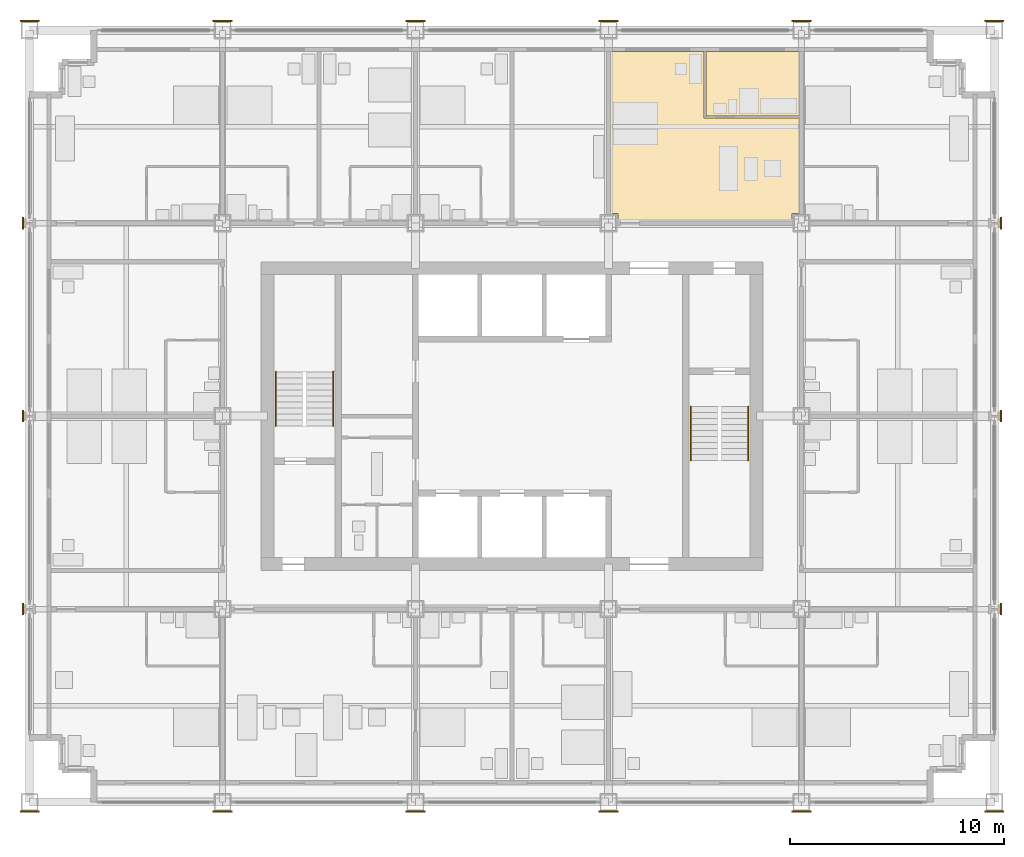
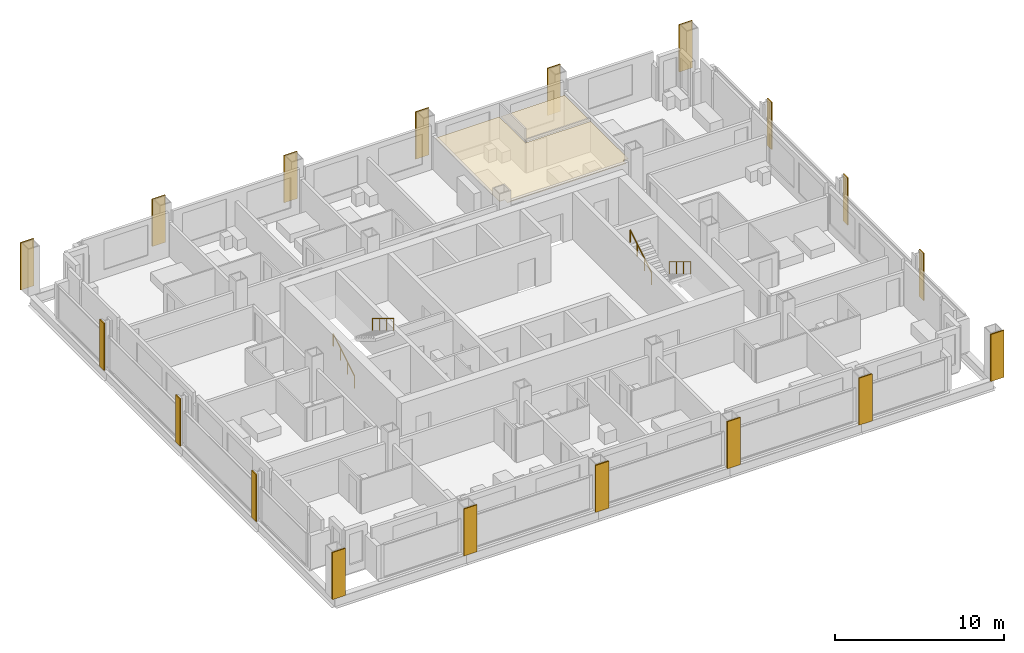
# One storey, part 14 of 16: 20 coverings, 4 railings.
"""IFC4 building model written with IfcOpenShell, lengths in metres."""

import ifcopenshell
import ifcopenshell.guid

model = None  # the IFC model being written
_history = None  # IfcOwnerHistory: only IFC2X3 demands one
_inside = {}  # id of a spatial element -> (the spatial element, [elements in it])
_under = {}  # id of a project, library or spatial element -> (it, [spatial elements below it])
_declared = {}  # id of a project -> (the project, [libraries it declares])
_typed = {}  # id of a type object -> (the type object, [elements of that type])
_made_of = {}  # id of a material, layer set ... -> (it, [elements and type objects made of it])


def new_model(schema):
    """Start an empty IFC model of exactly this schema.

    Asked for "IFC4X3", IfcOpenShell would pick the latest addendum, in which some entities
    have other attributes; the version numbers below select the first issue.
    IFC2X3 requires an IfcOwnerHistory on every rooted entity: one is made here for all.
    """
    global model, _history
    if schema == "IFC4X3":
        model = ifcopenshell.file(schema_version=(4, 3, 0, 0))
    else:
        model = ifcopenshell.file(schema=schema)
    _inside.clear()
    _under.clear()
    _declared.clear()
    _typed.clear()
    _made_of.clear()
    _history = None
    if model.schema == "IFC2X3":
        org = make("IfcOrganization", Name="unknown")
        user = make(
            "IfcPersonAndOrganization",
            ThePerson=make("IfcPerson", FamilyName="unknown"),
            TheOrganization=org,
        )
        app = make(
            "IfcApplication",
            ApplicationDeveloper=org,
            Version="unknown",
            ApplicationFullName="unknown",
            ApplicationIdentifier="unknown",
        )
        _history = make(
            "IfcOwnerHistory",
            OwningUser=user,
            OwningApplication=app,
            ChangeAction="ADDED",
            CreationDate=0,
        )
    return model


def make(cls, **values):
    """One entity of the class cls with the attributes given. An attribute that is None is left unset."""
    return model.create_entity(
        cls, **{name: value for name, value in values.items() if value is not None}
    )


def rooted(cls, **values):
    """An entity with a GlobalId (a new one), such as an element, a storey or a relation."""
    return make(cls, GlobalId=ifcopenshell.guid.new(), OwnerHistory=_history, **values)


def si_unit(unit_type, name, prefix=None):
    """IfcSIUnit, for example si_unit("LENGTHUNIT", "METRE", prefix="MILLI")."""
    return make("IfcSIUnit", UnitType=unit_type, Prefix=prefix, Name=name)


def assignment(units):
    """IfcUnitAssignment: the units of a project."""
    return None if units is None else make("IfcUnitAssignment", Units=units)


def point(xyz):
    """IfcCartesianPoint."""
    return None if xyz is None else make("IfcCartesianPoint", Coordinates=xyz)


def direction(xyz):
    """IfcDirection."""
    return None if xyz is None else make("IfcDirection", DirectionRatios=xyz)


def frame(location, z_axis=None, x_axis=None):
    """IfcAxis2Placement3D, a coordinate frame: its origin and axes. An axis left out is left unset."""
    return make(
        "IfcAxis2Placement3D",
        Location=point(location),
        Axis=direction(z_axis),
        RefDirection=direction(x_axis),
    )


def frame_2d(location, x_axis=None):
    """IfcAxis2Placement2D, a coordinate frame in the plane: its origin and x axis."""
    return make(
        "IfcAxis2Placement2D", Location=point(location), RefDirection=direction(x_axis)
    )


def origin():
    """The frame at (0, 0, 0) with its axes left unset."""
    return frame((0.0, 0.0, 0.0))


def origin_2d():
    """The frame at (0, 0) in the plane with its x axis left unset."""
    return frame_2d((0.0, 0.0))


def place(relative_to, where):
    """IfcLocalPlacement: puts the frame where relative to a parent placement (None: the world)."""
    return make(
        "IfcLocalPlacement", PlacementRelTo=relative_to, RelativePlacement=where
    )


def context(
    kind, dimensions, precision=None, world=None, true_north=None, identifier=None
):
    """IfcGeometricRepresentationContext, for example the 3D "Model" context."""
    return make(
        "IfcGeometricRepresentationContext",
        ContextIdentifier=identifier,
        ContextType=kind,
        CoordinateSpaceDimension=dimensions,
        Precision=precision,
        WorldCoordinateSystem=world,
        TrueNorth=true_north,
    )


def subcontext(parent, identifier, kind, view, scale=None):
    """IfcGeometricRepresentationSubContext, for example "Body" below "Model"."""
    return make(
        "IfcGeometricRepresentationSubContext",
        ContextIdentifier=identifier,
        ContextType=kind,
        ParentContext=parent,
        TargetScale=scale,
        TargetView=view,
    )


def project(units=None, contexts=None):
    """IfcProject with its units and contexts."""
    return rooted(
        "IfcProject",
        Name="project",
        RepresentationContexts=contexts,
        UnitsInContext=assignment(units),
    )


def spatial(cls, under=None, at=None, **own):
    """A site, building, storey or space (cls), placed at a placement, below another one or the project."""
    s = rooted(cls, ObjectPlacement=at, **own)
    if under is not None:
        _under.setdefault(under.id(), (under, []))[1].append(s)
    return s


def polyline(points):
    """IfcPolyline through the points."""
    return make("IfcPolyline", Points=[point(p) for p in points])


def profile(cls, at=None, kind="AREA", **sizes):
    """A parametric profile (cls). Its sizes go by their IFC names, for example OverallWidth=200.0."""
    return make(cls, ProfileType=kind, Position=at, **sizes)


def rectangle(**sizes):
    """IfcRectangleProfileDef."""
    return profile("IfcRectangleProfileDef", **sizes)


def circle(**sizes):
    """IfcCircleProfileDef."""
    return profile("IfcCircleProfileDef", **sizes)


def outline(outer, holes=None, kind="AREA"):
    """IfcArbitraryClosedProfileDef: a profile drawn as a closed curve; with holes, ...WithVoids."""
    if holes is None:
        return make("IfcArbitraryClosedProfileDef", ProfileType=kind, OuterCurve=outer)
    return make(
        "IfcArbitraryProfileDefWithVoids",
        ProfileType=kind,
        OuterCurve=outer,
        InnerCurves=holes,
    )


def extrude(swept, where, along, depth):
    """IfcExtrudedAreaSolid: the profile swept, set in the frame where, extruded along a direction by depth."""
    return make(
        "IfcExtrudedAreaSolid",
        SweptArea=swept,
        Position=where,
        ExtrudedDirection=direction(along),
        Depth=depth,
    )


def shape(context_of_items, identifier, shape_type, items):
    """IfcShapeRepresentation: the items that make up one representation, for example the "Body"."""
    return make(
        "IfcShapeRepresentation",
        ContextOfItems=context_of_items,
        RepresentationIdentifier=identifier,
        RepresentationType=shape_type,
        Items=items,
    )


def material(Name=None, Category=None):
    """IfcMaterial."""
    return make("IfcMaterial", Name=Name, Category=Category)


def layer(
    of_material, thickness, ventilated=None, Name=None, Category=None, Priority=None
):
    """IfcMaterialLayer: one layer of a wall or slab, of a material (None: an air gap)."""
    return make(
        "IfcMaterialLayer",
        Material=of_material,
        LayerThickness=thickness,
        IsVentilated=ventilated,
        Name=Name,
        Category=Category,
        Priority=Priority,
    )


def layer_set(layers, Name=None):
    """IfcMaterialLayerSet."""
    return make("IfcMaterialLayerSet", MaterialLayers=layers, LayerSetName=Name)


def made_of(thing, what):
    """Note that an element or type object is made of a material, layer set ...; save() writes the relation."""
    if what is not None:
        _made_of.setdefault(what.id(), (what, []))[1].append(thing)
    return thing


def type_object(cls, material=None, **own):
    """A type object (cls), such as IfcWallType, which elements share."""
    return made_of(rooted(cls, **own), material)


def element(
    cls,
    number,
    at=None,
    inside=None,
    cuts=None,
    type_object=None,
    material=None,
    context=None,
    identifier="Body",
    shape_type=None,
    held_by="IfcProductDefinitionShape",
    body=None,
    shapes=None,
    **own,
):
    """One element of the class cls, such as IfcWall. Its Tag is "e" and its number.

    at: its placement. inside: the storey or other place that contains it. cuts: it is an
    opening in that element (IfcRelVoidsElement). A single representation is given by context,
    identifier, shape_type and body (its items); several are given by shapes. held_by: the class
    of the entity that holds the representations. save() writes the other relations.
    """
    e = rooted(cls, Tag="e%d" % number, ObjectPlacement=at, **own)
    if body is not None:
        shapes = [shape(context, identifier, shape_type, body)]
    if shapes is not None:
        e.Representation = make(held_by, Representations=shapes)
    if inside is not None:
        _inside.setdefault(inside.id(), (inside, []))[1].append(e)
    if cuts is not None:
        rooted(
            "IfcRelVoidsElement", RelatingBuildingElement=cuts, RelatedOpeningElement=e
        )
    if type_object is not None:
        _typed.setdefault(type_object.id(), (type_object, []))[1].append(e)
    return made_of(e, material)


def aggregate(whole, parts):
    """IfcRelAggregates: a whole, such as a stair, and the parts it consists of."""
    return rooted("IfcRelAggregates", RelatingObject=whole, RelatedObjects=parts)


def save(model, path):
    """Write the relations noted so far, then the file.

    IfcRelAggregates (storeys below a building ...), IfcRelContainedInSpatialStructure (elements
    in a storey), IfcRelDefinesByType, IfcRelAssociatesMaterial and IfcRelDeclares: one each for
    every whole, place, type object, material and project.
    """
    for whole, parts in _under.values():
        aggregate(whole, parts)
    for where, things in _inside.values():
        rooted(
            "IfcRelContainedInSpatialStructure",
            RelatedElements=things,
            RelatingStructure=where,
        )
    for kind, things in _typed.values():
        rooted("IfcRelDefinesByType", RelatedObjects=things, RelatingType=kind)
    for what, things in _made_of.values():
        rooted("IfcRelAssociatesMaterial", RelatedObjects=things, RelatingMaterial=what)
    for by, libraries in _declared.values():
        rooted("IfcRelDeclares", RelatingContext=by, RelatedDefinitions=libraries)
    model.write(path)


model = new_model("IFC4")

# Units and contexts
model_context = context("Model", 3, precision=1e-05, world=origin(), true_north=direction((0.0, 1.0)))
body_context = subcontext(model_context, "Body", "Model", "MODEL_VIEW")
ifc_project = project(units=[si_unit("LENGTHUNIT", "METRE"), si_unit("AREAUNIT", "SQUARE_METRE"), si_unit("VOLUMEUNIT", "CUBIC_METRE"), si_unit("PLANEANGLEUNIT", "RADIAN"), si_unit("MASSUNIT", "GRAM", prefix="KILO")], contexts=[model_context])

# Site, building, storey
site_placement = place(None, origin())
site = spatial("IfcSite", under=ifc_project, at=site_placement, CompositionType="ELEMENT")
building_placement = place(site_placement, origin())
building = spatial("IfcBuilding", under=site, at=building_placement, Name="Loomwork Tower", CompositionType="ELEMENT")
storey_placement = place(building_placement, frame((0.0, 0.0, 135.0)))
storey = spatial("IfcBuildingStorey", under=building, at=storey_placement, Name="L36", CompositionType="ELEMENT", Elevation=135.0)

# Railings
ifc_material_1 = material(Name="Stainless steel handrail", Category="steel")
railing_type = type_object("IfcRailingType", Name="Handrail 900", PredefinedType="HANDRAIL", material=ifc_material_1)
railing_1_placement = place(storey_placement, frame((11.485107421875, 17.550048828125, 0.169921875)))
element("IfcRailing", 1, at=railing_1_placement, inside=storey, type_object=railing_type, Name="Stair A handrail flight 1 L36", PredefinedType="HANDRAIL", context=body_context, shape_type="SweptSolid", body=[
    extrude(circle(Radius=0.02392578125, at=origin_2d()), frame((0.0, 0.0, 0.8759765625), z_axis=(0.0, 0.85478489116, 0.518982456201), x_axis=(-1.0, 0.0, 0.0)), (0.0, 0.0, 1.0), 2.9482421875),
    extrude(circle(Radius=0.02099609375, at=origin_2d()), origin(), (0.0, 0.0, 1.0), 0.851806640625),
    extrude(circle(Radius=0.02099609375, at=origin_2d()), frame((0.0, 0.840087890625, 0.510009765625)), (0.0, 0.0, 1.0), 0.851806640625),
    extrude(circle(Radius=0.02099609375, at=origin_2d()), frame((0.0, 1.679931640625, 1.02001953125)), (0.0, 0.0, 1.0), 0.851806640625),
    extrude(circle(Radius=0.02099609375, at=origin_2d()), frame((0.0, 2.52001953125, 1.530029296875)), (0.0, 0.0, 1.0), 0.851806640625),
])
railing_2_placement = place(storey_placement, frame((14.1650390625, 20.070068359375, 1.8701171875)))
element("IfcRailing", 2, at=railing_2_placement, inside=storey, type_object=railing_type, Name="Stair A handrail flight 2 L36", PredefinedType="HANDRAIL", context=body_context, shape_type="SweptSolid", body=[
    extrude(circle(Radius=0.02392578125, at=origin_2d()), frame((0.0, 0.0, 0.8759765625), z_axis=(0.0, -0.854821627497, 0.518921945155), x_axis=(1.0, 0.0, 0.0)), (0.0, 0.0, 1.0), 2.947998046875),
    extrude(circle(Radius=0.02099609375, at=origin_2d()), origin(), (0.0, 0.0, 1.0), 0.851806640625),
    extrude(circle(Radius=0.02099609375, at=origin_2d()), frame((0.0, -0.840087890625, 0.510009765625)), (0.0, 0.0, 1.0), 0.851806640625),
    extrude(circle(Radius=0.02099609375, at=origin_2d()), frame((0.0, -1.679931640625, 1.019775390625)), (0.0, 0.0, 1.0), 0.851806640625),
    extrude(circle(Radius=0.02099609375, at=origin_2d()), frame((0.0, -2.52001953125, 1.52978515625)), (0.0, 0.0, 1.0), 0.851806640625),
])
railing_3_placement = place(storey_placement, frame((33.514892578125, 18.449951171875, 0.169921875)))
element("IfcRailing", 3, at=railing_3_placement, inside=storey, type_object=railing_type, Name="Stair B handrail flight 1 L36", PredefinedType="HANDRAIL", context=body_context, shape_type="SweptSolid", body=[
    extrude(circle(Radius=0.02392578125, at=origin_2d()), frame((0.0, 0.0, 0.8759765625), z_axis=(0.0, -0.85478489116, 0.518982456201), x_axis=(1.0, 0.0, 0.0)), (0.0, 0.0, 1.0), 2.9482421875),
    extrude(circle(Radius=0.02099609375, at=origin_2d()), origin(), (0.0, 0.0, 1.0), 0.851806640625),
    extrude(circle(Radius=0.02099609375, at=origin_2d()), frame((0.0, -0.840087890625, 0.510009765625)), (0.0, 0.0, 1.0), 0.851806640625),
    extrude(circle(Radius=0.02099609375, at=origin_2d()), frame((0.0, -1.679931640625, 1.02001953125)), (0.0, 0.0, 1.0), 0.851806640625),
    extrude(circle(Radius=0.02099609375, at=origin_2d()), frame((0.0, -2.52001953125, 1.530029296875)), (0.0, 0.0, 1.0), 0.851806640625),
])
railing_4_placement = place(storey_placement, frame((30.8349609375, 15.929931640625, 1.8701171875)))
element("IfcRailing", 4, at=railing_4_placement, inside=storey, type_object=railing_type, Name="Stair B handrail flight 2 L36", PredefinedType="HANDRAIL", context=body_context, shape_type="SweptSolid", body=[
    extrude(circle(Radius=0.02392578125, at=origin_2d()), frame((0.0, 0.0, 0.8759765625), z_axis=(0.0, 0.854821627497, 0.518921945155), x_axis=(-1.0, 0.0, 0.0)), (0.0, 0.0, 1.0), 2.947998046875),
    extrude(circle(Radius=0.02099609375, at=origin_2d()), origin(), (0.0, 0.0, 1.0), 0.851806640625),
    extrude(circle(Radius=0.02099609375, at=origin_2d()), frame((0.0, 0.840087890625, 0.510009765625)), (0.0, 0.0, 1.0), 0.851806640625),
    extrude(circle(Radius=0.02099609375, at=origin_2d()), frame((0.0, 1.679931640625, 1.019775390625)), (0.0, 0.0, 1.0), 0.851806640625),
    extrude(circle(Radius=0.02099609375, at=origin_2d()), frame((0.0, 2.52001953125, 1.52978515625)), (0.0, 0.0, 1.0), 0.851806640625),
])

# Coverings
ifc_material_2 = material(Name="Limestone", Category="masonry")
ifc_layer_1 = layer(ifc_material_2, 0.080078125)
ifc_layer_set_1 = layer_set([ifc_layer_1], Name="Limestone pier facing 80")
covering_type_1 = type_object("IfcCoveringType", Name="Limestone pier facing 80", PredefinedType="CLADDING", material=ifc_layer_set_1)
covering_1_placement = place(storey_placement, frame((0.0, -0.43994140625, 0.0), z_axis=(0.0, 0.0, 1.0), x_axis=(1.0, 0.0, 0.0)))
element("IfcCovering", 5, at=covering_1_placement, inside=storey, type_object=covering_type_1, Name="Pier facing D/2 L36", PredefinedType="CLADDING", context=body_context, shape_type="SweptSolid", body=[
    extrude(rectangle(XDim=0.89990234375, YDim=0.080078125, at=origin_2d()), origin(), (0.0, 0.0, 1.0), 3.39990234375),
])
for number, where, z_axis, x_axis, name in (
    (6, (-0.305419921875, 9.0, 0.0), (0.0, 0.0, 1.0), (1.0, 0.0, 0.0), "Pier facing E/2 L36"),
    (7, (-0.305419921875, 18.0, 0.0), (0.0, 0.0, 1.0), (1.0, 0.0, 0.0), "Pier facing F/2 L36"),
    (8, (-0.305419921875, 27.0, 0.0), (0.0, 0.0, 1.0), (1.0, 0.0, 0.0), "Pier facing G/2 L36"),
):
    element("IfcCovering", number, at=place(storey_placement, frame(where, z_axis=z_axis, x_axis=x_axis)), inside=storey, type_object=covering_type_1, Name=name, PredefinedType="CLADDING", context=body_context, shape_type="SweptSolid", body=[
        extrude(rectangle(XDim=0.080078125, YDim=0.5419921875, at=origin_2d()), origin(), (0.0, 0.0, 1.0), 3.39990234375),
    ])
for number, where, z_axis, x_axis, name in (
    (9, (0.0, 36.43994140625, 0.0), (0.0, 0.0, 1.0), (1.0, 0.0, 0.0), "Pier facing H/2 L36"),
    (10, (9.0, -0.43994140625, 0.0), (0.0, 0.0, 1.0), (1.0, 0.0, 0.0), "Pier facing D/3 L36"),
    (11, (9.0, 36.43994140625, 0.0), (0.0, 0.0, 1.0), (1.0, 0.0, 0.0), "Pier facing H/3 L36"),
    (12, (18.0, -0.43994140625, 0.0), (0.0, 0.0, 1.0), (1.0, 0.0, 0.0), "Pier facing D/4 L36"),
    (13, (18.0, 36.43994140625, 0.0), (0.0, 0.0, 1.0), (1.0, 0.0, 0.0), "Pier facing H/4 L36"),
    (14, (27.0, -0.43994140625, 0.0), (0.0, 0.0, 1.0), (1.0, 0.0, 0.0), "Pier facing D/5 L36"),
    (15, (27.0, 36.43994140625, 0.0), (0.0, 0.0, 1.0), (1.0, 0.0, 0.0), "Pier facing H/5 L36"),
    (16, (36.0, -0.43994140625, 0.0), (0.0, 0.0, 1.0), (1.0, 0.0, 0.0), "Pier facing D/6 L36"),
    (17, (36.0, 36.43994140625, 0.0), (0.0, 0.0, 1.0), (1.0, 0.0, 0.0), "Pier facing H/6 L36"),
    (18, (45.0, -0.43994140625, 0.0), (0.0, 0.0, 1.0), (1.0, 0.0, 0.0), "Pier facing D/7 L36"),
):
    element("IfcCovering", number, at=place(storey_placement, frame(where, z_axis=z_axis, x_axis=x_axis)), inside=storey, type_object=covering_type_1, Name=name, PredefinedType="CLADDING", context=body_context, shape_type="SweptSolid", body=[
        extrude(rectangle(XDim=0.89990234375, YDim=0.080078125, at=origin_2d()), origin(), (0.0, 0.0, 1.0), 3.39990234375),
    ])
for number, where, z_axis, x_axis, name in (
    (19, (45.305419921875, 9.0, 0.0), (0.0, 0.0, 1.0), (1.0, 0.0, 0.0), "Pier facing E/7 L36"),
    (20, (45.305419921875, 18.0, 0.0), (0.0, 0.0, 1.0), (1.0, 0.0, 0.0), "Pier facing F/7 L36"),
    (21, (45.305419921875, 27.0, 0.0), (0.0, 0.0, 1.0), (1.0, 0.0, 0.0), "Pier facing G/7 L36"),
):
    element("IfcCovering", number, at=place(storey_placement, frame(where, z_axis=z_axis, x_axis=x_axis)), inside=storey, type_object=covering_type_1, Name=name, PredefinedType="CLADDING", context=body_context, shape_type="SweptSolid", body=[
        extrude(rectangle(XDim=0.080078125, YDim=0.5419921875, at=origin_2d()), origin(), (0.0, 0.0, 1.0), 3.39990234375),
    ])
covering_2_placement = place(storey_placement, frame((45.0, 36.43994140625, 0.0), z_axis=(0.0, 0.0, 1.0), x_axis=(1.0, 0.0, 0.0)))
element("IfcCovering", 22, at=covering_2_placement, inside=storey, type_object=covering_type_1, Name="Pier facing H/7 L36", PredefinedType="CLADDING", context=body_context, shape_type="SweptSolid", body=[
    extrude(rectangle(XDim=0.89990234375, YDim=0.080078125, at=origin_2d()), origin(), (0.0, 0.0, 1.0), 3.39990234375),
])
ifc_material_3 = material(Name="Mineral fibre acoustic tile on suspension grid")
ifc_layer_2 = layer(ifc_material_3, 0.02490234375)
ifc_layer_set_2 = layer_set([ifc_layer_2], Name="Suspended acoustic ceiling")
covering_type_2 = type_object("IfcCoveringType", Name="Suspended acoustic ceiling", PredefinedType="CEILING", material=ifc_layer_set_2)
covering_3_placement = place(storey_placement, frame((0.0, 0.0, 2.175048828125)))
element("IfcCovering", 23, at=covering_3_placement, inside=storey, type_object=covering_type_2, Name="Ceiling Spa bathroom L36", PredefinedType="CEILING", context=body_context, shape_type="SweptSolid", body=[
    extrude(outline(polyline([(31.550048828125, 35.0), (35.89990234375, 35.0), (35.89990234375, 32.0), (31.550048828125, 32.0), (31.550048828125, 35.0)])), origin(), (0.0, 0.0, 1.0), 0.02490234375),
])
covering_4_placement = place(storey_placement, frame((0.0, 0.0, 2.175048828125)))
element("IfcCovering", 24, at=covering_4_placement, inside=storey, type_object=covering_type_2, Name="Ceiling Spa suite L36", PredefinedType="CEILING", context=body_context, shape_type="SweptSolid", body=[
    extrude(outline(polyline([(27.10009765625, 35.0), (31.449951171875, 35.0), (31.449951171875, 31.89990234375), (35.89990234375, 31.89990234375), (35.89990234375, 27.449951171875), (35.550048828125, 27.449951171875), (35.550048828125, 27.10009765625), (27.449951171875, 27.10009765625), (27.449951171875, 27.449951171875), (27.10009765625, 27.449951171875), (27.10009765625, 35.0)])), origin(), (0.0, 0.0, 1.0), 0.02490234375),
])

save(model, "model.ifc")
